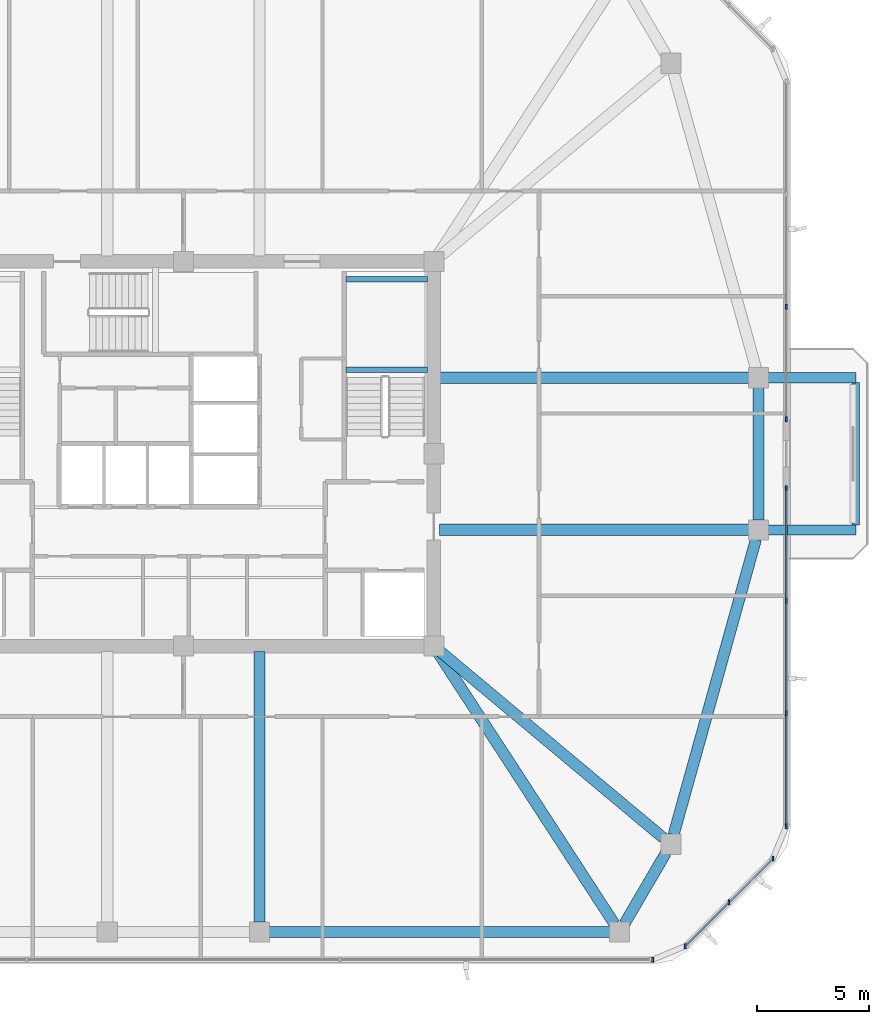
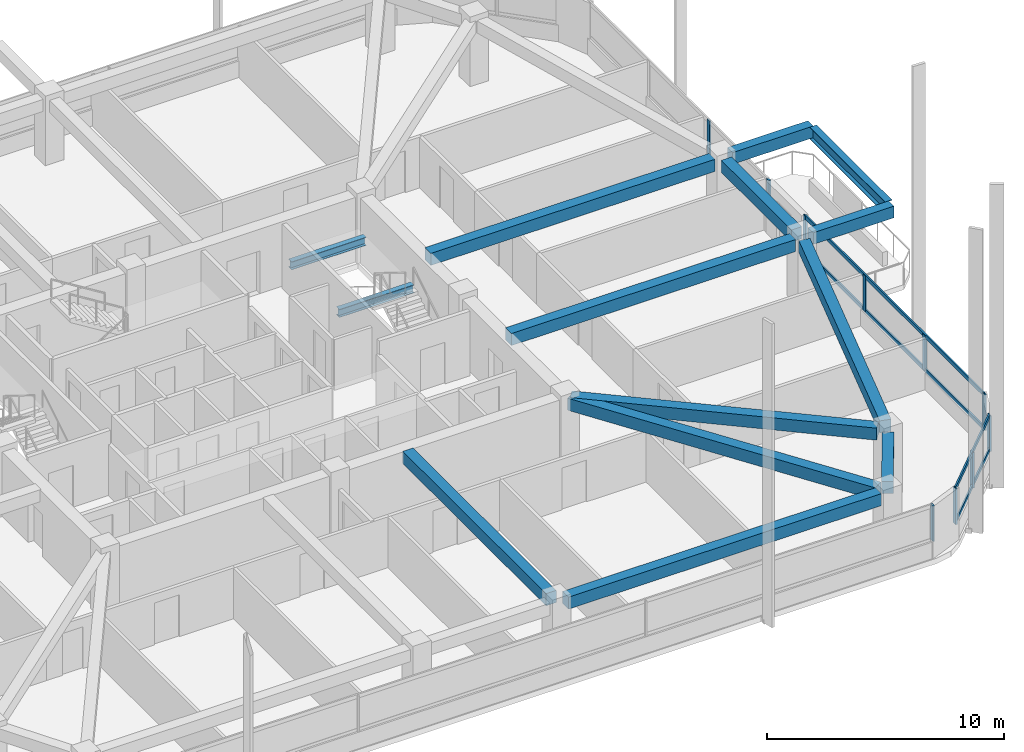
# One storey, part 5 of 17: 14 beams, 14 members, 4 elements without a shape of their own.
"""IFC4 building model written with IfcOpenShell, lengths in metres."""

from ifc_helpers import new_model, si_unit, derived_unit, direction, frame, origin, origin_2d, place, context, subcontext, project, spatial, rectangle, i_section, extrude, material, material_profile, profile_set, type_object, element, aggregate, save


model = new_model("IFC4")

# Units and contexts
model_context = context("Model", 3, precision=1e-05, world=origin(), true_north=direction((0.0, 1.0)))
body_context = subcontext(model_context, "Body", "Model", "MODEL_VIEW")
ifc_project = project(units=[si_unit("LENGTHUNIT", "METRE"), si_unit("AREAUNIT", "SQUARE_METRE"), si_unit("VOLUMEUNIT", "CUBIC_METRE"), si_unit("PLANEANGLEUNIT", "RADIAN"), si_unit("MASSUNIT", "GRAM", prefix="KILO"), derived_unit("THERMALTRANSMITTANCEUNIT", [(si_unit("POWERUNIT", "WATT"), 1), (si_unit("LENGTHUNIT", "METRE"), -2), (si_unit("THERMODYNAMICTEMPERATUREUNIT", "KELVIN"), -1)])], contexts=[model_context])

# Site, building, storey
site_placement = place(None, origin())
site = spatial("IfcSite", under=ifc_project, at=site_placement, CompositionType="ELEMENT")
building_placement = place(site_placement, origin())
building = spatial("IfcBuilding", under=site, at=building_placement, Name="Koralith Skygarden Medical Center", CompositionType="ELEMENT")
storey_placement = place(building_placement, frame((0.0, 0.0, 221.580078125)))
storey = spatial("IfcBuildingStorey", under=building, at=storey_placement, Name="L57", CompositionType="ELEMENT", Elevation=221.580078125)

# Curtain wall, member
ifc_material_1 = material(Name="Clear Laminated Glass", Category="glass")
curtain_wall_type = type_object("IfcCurtainWallType", Name="CW-5 Zone 4 Flare Biophilic Curtain Wall", PredefinedType="NOTDEFINED", material=ifc_material_1)
curtain_wall_1_placement = place(storey_placement, origin())
curtain_wall_1 = element("IfcCurtainWall", 1, at=curtain_wall_1_placement, inside=storey, type_object=curtain_wall_type, Name="Curtain Wall CW-L57-S", PredefinedType="NOTDEFINED")
ifc_material_2 = material(Name="Aluminium 6063-T6", Category="aluminium")
ifc_material_profile_1 = material_profile(ifc_material_2, rectangle(XDim=0.080078125, YDim=0.219970703125, at=origin_2d()), Name="MUL80X220")
ifc_profile_set_1 = profile_set([ifc_material_profile_1], Name="Aluminium 6063-T6")
member_type_1 = type_object("IfcMemberType", Name="CW-5 Extruded Mullion 80x220", PredefinedType="MULLION", material=ifc_profile_set_1)
member_1_placement = place(storey_placement, frame((57.987060546875, 3.280029296875, 0.849853515625), z_axis=(0.0, 0.0, 1.0), x_axis=(1.0, 0.0, 0.0)))
member_1 = element("IfcMember", 2, at=member_1_placement, type_object=member_type_1, Name="CW-L57-S Mullion 4", PredefinedType="MULLION", context=body_context, shape_type="SweptSolid", body=[
    extrude(rectangle(XDim=0.080078125, YDim=0.219970703125, at=origin_2d()), origin(), (0.0, 0.0, 1.0), 1.840087890625),
])
aggregate(curtain_wall_1, [member_1])

# Curtain wall, members
curtain_wall_2_placement = place(storey_placement, origin())
curtain_wall_2 = element("IfcCurtainWall", 3, at=curtain_wall_2_placement, inside=storey, type_object=curtain_wall_type, Name="Curtain Wall CW-L57-SE", PredefinedType="NOTDEFINED")
member_2_placement = place(storey_placement, frame((59.43798828125, 3.881103515625, 0.849853515625), z_axis=(0.0, 0.0, 1.0), x_axis=(1.0, 0.0, 0.0)))
member_2 = element("IfcMember", 4, at=member_2_placement, type_object=member_type_1, Name="CW-L57-SE Mullion 1", PredefinedType="MULLION", context=body_context, shape_type="SweptSolid", body=[
    extrude(rectangle(XDim=0.080078125, YDim=0.219970703125, at=origin_2d()), origin(), (0.0, 0.0, 1.0), 1.840087890625),
])
member_3_placement = place(storey_placement, frame((61.39892578125, 5.843017578125, 0.849853515625), z_axis=(0.0, 0.0, 1.0), x_axis=(1.0, 0.0, 0.0)))
member_3 = element("IfcMember", 5, at=member_3_placement, type_object=member_type_1, Name="CW-L57-SE Mullion 2", PredefinedType="MULLION", context=body_context, shape_type="SweptSolid", body=[
    extrude(rectangle(XDim=0.080078125, YDim=0.219970703125, at=origin_2d()), origin(), (0.0, 0.0, 1.0), 1.840087890625),
])
member_4_placement = place(storey_placement, frame((63.361083984375, 7.803955078125, 0.849853515625), z_axis=(0.0, 0.0, 1.0), x_axis=(1.0, 0.0, 0.0)))
member_4 = element("IfcMember", 6, at=member_4_placement, type_object=member_type_1, Name="CW-L57-SE Mullion 3", PredefinedType="MULLION", context=body_context, shape_type="SweptSolid", body=[
    extrude(rectangle(XDim=0.080078125, YDim=0.219970703125, at=origin_2d()), origin(), (0.0, 0.0, 1.0), 1.840087890625),
])

curtain_wall_3_placement = place(storey_placement, origin())
curtain_wall_3 = element("IfcCurtainWall", 7, at=curtain_wall_3_placement, inside=storey, type_object=curtain_wall_type, Name="Curtain Wall CW-L57-E-L", PredefinedType="NOTDEFINED")
member_5_placement = place(storey_placement, frame((63.9619140625, 9.2548828125, 0.849853515625), z_axis=(0.0, 0.0, 1.0), x_axis=(1.0, 0.0, 0.0)))
member_5 = element("IfcMember", 8, at=member_5_placement, type_object=member_type_1, Name="CW-L57-E-L Mullion 1", PredefinedType="MULLION", context=body_context, shape_type="SweptSolid", body=[
    extrude(rectangle(XDim=0.080078125, YDim=0.219970703125, at=origin_2d()), origin(), (0.0, 0.0, 1.0), 1.840087890625),
])
member_6_placement = place(storey_placement, frame((63.9619140625, 14.2900390625, 0.849853515625), z_axis=(0.0, 0.0, 1.0), x_axis=(1.0, 0.0, 0.0)))
member_6 = element("IfcMember", 9, at=member_6_placement, type_object=member_type_1, Name="CW-L57-E-L Mullion 2", PredefinedType="MULLION", context=body_context, shape_type="SweptSolid", body=[
    extrude(rectangle(XDim=0.080078125, YDim=0.219970703125, at=origin_2d()), origin(), (0.0, 0.0, 1.0), 1.840087890625),
])
member_7_placement = place(storey_placement, frame((63.9619140625, 19.324951171875, 0.849853515625), z_axis=(0.0, 0.0, 1.0), x_axis=(1.0, 0.0, 0.0)))
member_7 = element("IfcMember", 10, at=member_7_placement, type_object=member_type_1, Name="CW-L57-E-L Mullion 3", PredefinedType="MULLION", context=body_context, shape_type="SweptSolid", body=[
    extrude(rectangle(XDim=0.080078125, YDim=0.219970703125, at=origin_2d()), origin(), (0.0, 0.0, 1.0), 1.840087890625),
])
member_8_placement = place(storey_placement, frame((63.9619140625, 24.360107421875, 0.849853515625), z_axis=(0.0, 0.0, 1.0), x_axis=(1.0, 0.0, 0.0)))
member_8 = element("IfcMember", 11, at=member_8_placement, type_object=member_type_1, Name="CW-L57-E-L Mullion 4", PredefinedType="MULLION", context=body_context, shape_type="SweptSolid", body=[
    extrude(rectangle(XDim=0.080078125, YDim=0.219970703125, at=origin_2d()), origin(), (0.0, 0.0, 1.0), 1.840087890625),
])

curtain_wall_4_placement = place(storey_placement, origin())
curtain_wall_4 = element("IfcCurtainWall", 12, at=curtain_wall_4_placement, inside=storey, type_object=curtain_wall_type, Name="Curtain Wall CW-L57-E-R", PredefinedType="NOTDEFINED")
member_9_placement = place(storey_placement, frame((63.9619140625, 27.43994140625, 0.849853515625), z_axis=(0.0, 0.0, 1.0), x_axis=(1.0, 0.0, 0.0)))
member_9 = element("IfcMember", 13, at=member_9_placement, type_object=member_type_1, Name="CW-L57-E-R Mullion 1", PredefinedType="MULLION", context=body_context, shape_type="SweptSolid", body=[
    extrude(rectangle(XDim=0.080078125, YDim=0.219970703125, at=origin_2d()), origin(), (0.0, 0.0, 1.0), 1.840087890625),
])
member_10_placement = place(storey_placement, frame((63.9619140625, 32.47509765625, 0.849853515625), z_axis=(0.0, 0.0, 1.0), x_axis=(1.0, 0.0, 0.0)))
member_10 = element("IfcMember", 14, at=member_10_placement, type_object=member_type_1, Name="CW-L57-E-R Mullion 2", PredefinedType="MULLION", context=body_context, shape_type="SweptSolid", body=[
    extrude(rectangle(XDim=0.080078125, YDim=0.219970703125, at=origin_2d()), origin(), (0.0, 0.0, 1.0), 1.840087890625),
])
aggregate(curtain_wall_4, [member_9, member_10])

# Member
ifc_material_profile_2 = material_profile(ifc_material_2, rectangle(XDim=0.074951171875, YDim=0.197998046875, at=origin_2d()), Name="TRN75X198")
ifc_profile_set_2 = profile_set([ifc_material_profile_2], Name="Aluminium 6063-T6")
member_type_2 = type_object("IfcMemberType", Name="CW-5 Thermal Transom 75x198", PredefinedType="USERDEFINED", material=ifc_profile_set_2)
member_11_placement = place(storey_placement, frame((59.43798828125, 3.881103515625, 0.89990234375), z_axis=(0.707128783731, 0.707084777957, 0.0), x_axis=(-0.707084777957, 0.707128783731, 0.0)))
member_11 = element("IfcMember", 15, at=member_11_placement, type_object=member_type_2, Name="CW-L57-SE Transom 1", ObjectType="TRANSOM", PredefinedType="USERDEFINED", context=body_context, shape_type="SweptSolid", body=[
    extrude(rectangle(XDim=0.074951171875, YDim=0.197998046875, at=origin_2d()), origin(), (0.0, 0.0, 1.0), 5.5478515625),
])

member_12_placement = place(storey_placement, frame((59.43798828125, 3.881103515625, 2.639892578125), z_axis=(0.707128783731, 0.707084777957, 0.0), x_axis=(-0.707084777957, 0.707128783731, 0.0)))
member_12 = element("IfcMember", 16, at=member_12_placement, type_object=member_type_2, Name="CW-L57-SE Transom 2", ObjectType="TRANSOM", PredefinedType="USERDEFINED", context=body_context, shape_type="SweptSolid", body=[
    extrude(rectangle(XDim=0.074951171875, YDim=0.197998046875, at=origin_2d()), origin(), (0.0, 0.0, 1.0), 5.5478515625),
])

aggregate(curtain_wall_2, [member_2, member_3, member_4, member_11, member_12])

member_13_placement = place(storey_placement, frame((63.9619140625, 9.2548828125, 0.89990234375), z_axis=(0.0, 1.0, 0.0), x_axis=(-1.0, 0.0, 0.0)))
member_13 = element("IfcMember", 17, at=member_13_placement, type_object=member_type_2, Name="CW-L57-E-L Transom 1", ObjectType="TRANSOM", PredefinedType="USERDEFINED", context=body_context, shape_type="SweptSolid", body=[
    extrude(rectangle(XDim=0.074951171875, YDim=0.197998046875, at=origin_2d()), origin(), (0.0, 0.0, 1.0), 15.105224609375),
])

member_14_placement = place(storey_placement, frame((63.9619140625, 9.2548828125, 2.639892578125), z_axis=(0.0, 1.0, 0.0), x_axis=(-1.0, 0.0, 0.0)))
member_14 = element("IfcMember", 18, at=member_14_placement, type_object=member_type_2, Name="CW-L57-E-L Transom 2", ObjectType="TRANSOM", PredefinedType="USERDEFINED", context=body_context, shape_type="SweptSolid", body=[
    extrude(rectangle(XDim=0.074951171875, YDim=0.197998046875, at=origin_2d()), origin(), (0.0, 0.0, 1.0), 15.105224609375),
])

aggregate(curtain_wall_3, [member_5, member_6, member_7, member_8, member_13, member_14])

# Beams
ifc_material_3 = material(Name="Steel ASTM A992 Grade 50", Category="steel")
ifc_material_profile_3 = material_profile(ifc_material_3, i_section(OverallWidth=0.326904296875, OverallDepth=0.6220703125, WebThickness=0.015380859375, FlangeThickness=0.0244140625, at=origin_2d()), Name="W24X131")
ifc_profile_set_3 = profile_set([ifc_material_profile_3], Name="Steel ASTM A992 Grade 50")
beam_type_1 = type_object("IfcBeamType", Name="Cantilever Tie Beam W24X131", PredefinedType="BEAM", material=ifc_profile_set_3)
beam_1_placement = place(storey_placement, frame((67.072021484375, 22.719970703125, 3.02880859375), z_axis=(0.0, 1.0, 0.0), x_axis=(-1.0, 0.0, 0.0)))
element("IfcBeam", 19, at=beam_1_placement, inside=storey, type_object=beam_type_1, Name="L58 E Balcony Tip Tie Beam", PredefinedType="BEAM", context=body_context, shape_type="SweptSolid", body=[
    extrude(i_section(OverallWidth=0.326904296875, OverallDepth=0.6220703125, WebThickness=0.015380859375, FlangeThickness=0.0244140625, at=origin_2d()), origin(), (0.0, 0.0, 1.0), 6.360107421875),
])
ifc_material_profile_4 = material_profile(ifc_material_3, i_section(OverallWidth=0.260009765625, OverallDepth=0.4150390625, WebThickness=0.010009765625, FlangeThickness=0.016845703125, at=origin_2d()), Name="W16X67")
ifc_profile_set_4 = profile_set([ifc_material_profile_4], Name="Steel ASTM A992 Grade 50")
beam_type_2 = type_object("IfcBeamType", Name="Clinical Floor Joist W16X67", PredefinedType="JOIST", material=ifc_profile_set_4)
for number, where, z_axis, x_axis, name in (
    (20, (44.280029296875, 29.659912109375, 1.391845703125), (1.0, 0.0, 0.0), (0.0, 1.0, 0.0), "L57 Stair ST2 Half-Landing Support Beam 1A"),
    (21, (44.280029296875, 33.699951171875, 1.391845703125), (1.0, 0.0, 0.0), (0.0, 1.0, 0.0), "L57 Stair ST2 Half-Landing Support Beam 1B"),
):
    element("IfcBeam", number, at=place(storey_placement, frame(where, z_axis=z_axis, x_axis=x_axis)), inside=storey, type_object=beam_type_2, Name=name, PredefinedType="JOIST", context=body_context, shape_type="SweptSolid", body=[
        extrude(i_section(OverallWidth=0.260009765625, OverallDepth=0.4150390625, WebThickness=0.010009765625, FlangeThickness=0.016845703125, at=origin_2d()), origin(), (0.0, 0.0, 1.0), 3.639892578125),
    ])
ifc_material_4 = material(Name="Concrete C45/55", Category="concrete")
ifc_material_profile_5 = material_profile(ifc_material_4, rectangle(XDim=0.449951171875, YDim=0.60009765625, at=origin_2d()), Name="RCB450X600")
ifc_profile_set_5 = profile_set([ifc_material_profile_5], Name="Concrete C45/55")
beam_type_3 = type_object("IfcBeamType", Name="Planted Balcony Cantilever Beam RCB450X600", PredefinedType="BEAM", material=ifc_profile_set_5)
for number, where, z_axis, x_axis, name in (
    (22, (63.152099609375, 22.5, 3.0400390625), (1.0, 0.0, 0.0), (0.0, 1.0, 0.0), "L58 E Balcony Cantilever Beam A"),
    (23, (63.152099609375, 29.300048828125, 3.0400390625), (1.0, 0.0, 0.0), (0.0, 1.0, 0.0), "L58 E Balcony Cantilever Beam B"),
):
    element("IfcBeam", number, at=place(storey_placement, frame(where, z_axis=z_axis, x_axis=x_axis)), inside=storey, type_object=beam_type_3, Name=name, PredefinedType="BEAM", context=body_context, shape_type="SweptSolid", body=[
        extrude(rectangle(XDim=0.449951171875, YDim=0.60009765625, at=origin_2d()), origin(), (0.0, 0.0, 1.0), 3.919921875),
    ])
ifc_material_profile_6 = material_profile(ifc_material_4, rectangle(XDim=0.5, YDim=0.6201171875, at=origin_2d()), Name="RCB500X620")
ifc_profile_set_6 = profile_set([ifc_material_profile_6], Name="Concrete C45/55")
beam_type_4 = type_object("IfcBeamType", Name="Upper Radial Collector Beam RCB500X620", PredefinedType="BEAM", material=ifc_profile_set_6)
beam_2_placement = place(storey_placement, frame((40.39990234375, 17.050048828125, 3.010009765625), z_axis=(0.0, -1.0, 0.0), x_axis=(1.0, 0.0, 0.0)))
element("IfcBeam", 24, at=beam_2_placement, inside=storey, type_object=beam_type_4, Name="L57 Radial Collector Beam RB-05", PredefinedType="BEAM", context=body_context, shape_type="SweptSolid", body=[
    extrude(rectangle(XDim=0.5, YDim=0.6201171875, at=origin_2d()), origin(), (0.0, 0.0, 1.0), 12.090087890625),
])
beam_3_placement = place(storey_placement, frame((48.3359375, 17.090087890625, 3.010009765625), z_axis=(0.5451487187, -0.838339355214, 0.0), x_axis=(0.838339355214, 0.5451487187, 0.0)))
element("IfcBeam", 25, at=beam_3_placement, inside=storey, type_object=beam_type_4, Name="L57 Radial Collector Beam RB-06", PredefinedType="BEAM", context=body_context, shape_type="SweptSolid", body=[
    extrude(rectangle(XDim=0.5, YDim=0.6201171875, at=origin_2d()), origin(), (0.0, 0.0, 1.0), 14.553955078125),
])
beam_4_placement = place(storey_placement, frame((48.39208984375, 17.139892578125, 3.010009765625), z_axis=(0.767298159165, -0.64129052304, 0.0), x_axis=(0.64129052304, 0.767298159165, 0.0)))
element("IfcBeam", 26, at=beam_4_placement, inside=storey, type_object=beam_type_4, Name="L57 Radial Collector Beam RB-07", PredefinedType="BEAM", context=body_context, shape_type="SweptSolid", body=[
    extrude(rectangle(XDim=0.5, YDim=0.6201171875, at=origin_2d()), origin(), (0.0, 0.0, 1.0), 13.126708984375),
])
for number, where, z_axis, x_axis, name in (
    (27, (48.449951171875, 22.5, 3.010009765625), (1.0, 0.0, 0.0), (0.0, 1.0, 0.0), "L57 Radial Collector Beam RB-08"),
    (28, (48.449951171875, 29.300048828125, 3.010009765625), (1.0, 0.0, 0.0), (0.0, 1.0, 0.0), "L57 Radial Collector Beam RB-09"),
):
    element("IfcBeam", number, at=place(storey_placement, frame(where, z_axis=z_axis, x_axis=x_axis)), inside=storey, type_object=beam_type_4, Name=name, PredefinedType="BEAM", context=body_context, shape_type="SweptSolid", body=[
        extrude(rectangle(XDim=0.5, YDim=0.6201171875, at=origin_2d()), origin(), (0.0, 0.0, 1.0), 13.83203125),
    ])
ifc_material_profile_7 = material_profile(ifc_material_4, rectangle(XDim=0.5, YDim=0.6201171875, at=origin_2d()), Name="RCB500X620")
ifc_profile_set_7 = profile_set([ifc_material_profile_7], Name="Concrete C45/55")
beam_type_5 = type_object("IfcBeamType", Name="Zone 4-5 Spandrel Beam RCB500X620", PredefinedType="SPANDREL", material=ifc_profile_set_7)
beam_5_placement = place(storey_placement, frame((40.840087890625, 4.52001953125, 3.010009765625), z_axis=(1.0, 0.0, 0.0), x_axis=(0.0, 1.0, 0.0)))
element("IfcBeam", 29, at=beam_5_placement, inside=storey, type_object=beam_type_5, Name="L57 Perimeter Spandrel Beam SP-05", PredefinedType="SPANDREL", context=body_context, shape_type="SweptSolid", body=[
    extrude(rectangle(XDim=0.5, YDim=0.6201171875, at=origin_2d()), origin(), (0.0, 0.0, 1.0), 15.22998046875),
])
beam_6_placement = place(storey_placement, frame((56.73193359375, 4.89990234375, 3.010009765625), z_axis=(0.504832687441, 0.863217213505, 0.0), x_axis=(-0.863217213505, 0.504832687441, 0.0)))
element("IfcBeam", 30, at=beam_6_placement, inside=storey, type_object=beam_type_5, Name="L57 Perimeter Spandrel Beam SP-06", PredefinedType="SPANDREL", context=body_context, shape_type="SweptSolid", body=[
    extrude(rectangle(XDim=0.5, YDim=0.6201171875, at=origin_2d()), origin(), (0.0, 0.0, 1.0), 3.660888671875),
])
beam_7_placement = place(storey_placement, frame((58.919921875, 8.864013671875, 3.010009765625), z_axis=(0.26859849356, 0.96325222515, 0.0), x_axis=(-0.96325222515, 0.26859849356, 0.0)))
element("IfcBeam", 31, at=beam_7_placement, inside=storey, type_object=beam_type_5, Name="L57 Perimeter Spandrel Beam SP-07", PredefinedType="SPANDREL", context=body_context, shape_type="SweptSolid", body=[
    extrude(rectangle(XDim=0.5, YDim=0.6201171875, at=origin_2d()), origin(), (0.0, 0.0, 1.0), 13.716064453125),
])
beam_8_placement = place(storey_placement, frame((62.721923828125, 22.93994140625, 3.010009765625), z_axis=(0.0, 1.0, 0.0), x_axis=(-1.0, 0.0, 0.0)))
element("IfcBeam", 32, at=beam_8_placement, inside=storey, type_object=beam_type_5, Name="L57 Perimeter Spandrel Beam SP-08", PredefinedType="SPANDREL", context=body_context, shape_type="SweptSolid", body=[
    extrude(rectangle(XDim=0.5, YDim=0.6201171875, at=origin_2d()), origin(), (0.0, 0.0, 1.0), 5.920166015625),
])

save(model, "model.ifc")
